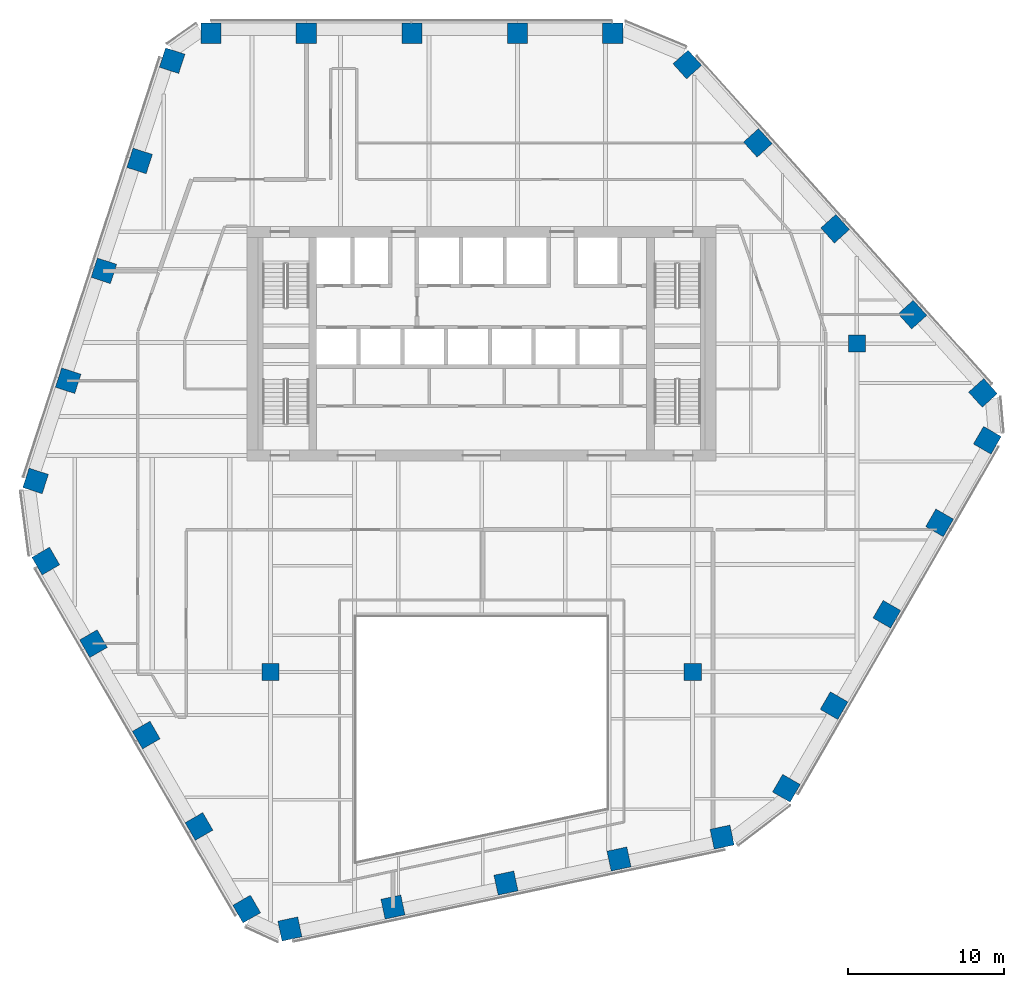
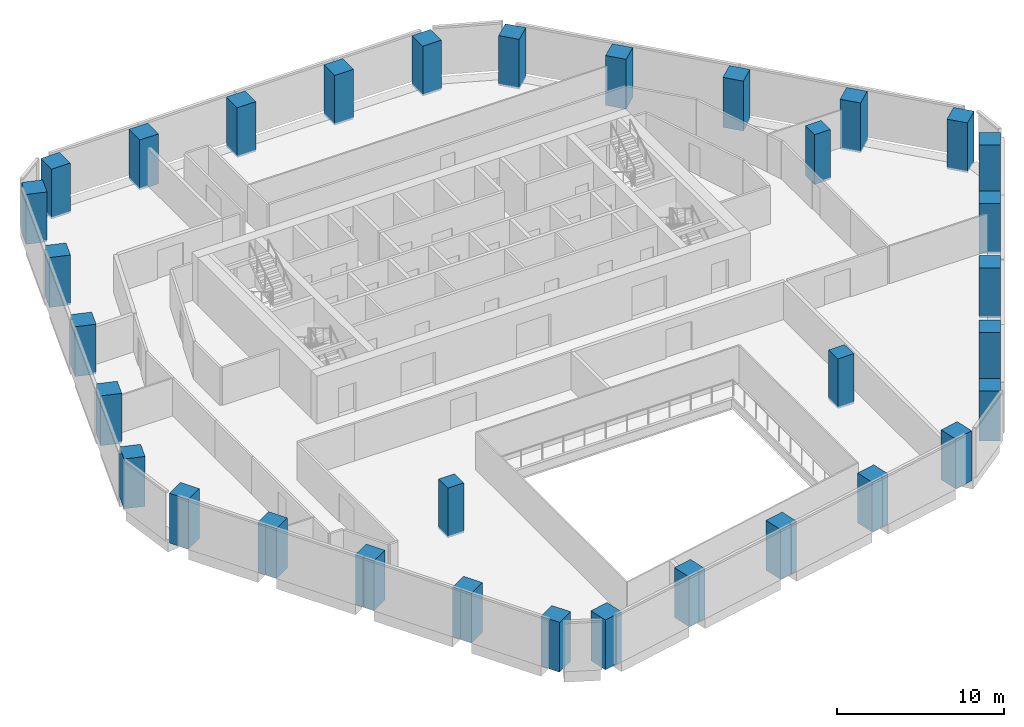
# One storey, part 1 of 17: 33 columns.
"""IFC4 building model written with IfcOpenShell, lengths in metres."""

from ifc_helpers import new_model, si_unit, direction, frame, origin, origin_2d, place, context, subcontext, project, spatial, rectangle, extrude, material, material_profile, profile_set, type_object, element, save


model = new_model("IFC4")

# Units and contexts
model_context = context("Model", 3, precision=1e-05, world=origin(), true_north=direction((0.0, 1.0)))
body_context = subcontext(model_context, "Body", "Model", "MODEL_VIEW")
ifc_project = project(units=[si_unit("LENGTHUNIT", "METRE"), si_unit("AREAUNIT", "SQUARE_METRE"), si_unit("VOLUMEUNIT", "CUBIC_METRE"), si_unit("PLANEANGLEUNIT", "RADIAN"), si_unit("MASSUNIT", "GRAM", prefix="KILO")], contexts=[model_context])

# Site, building, storey
site_placement = place(None, origin())
site = spatial("IfcSite", under=ifc_project, at=site_placement, CompositionType="ELEMENT")
building_placement = place(site_placement, origin())
building = spatial("IfcBuilding", under=site, at=building_placement, Name="Isthmus Gate Tower", CompositionType="ELEMENT")
storey_placement = place(building_placement, frame((0.0, 0.0, 181.75)))
storey = spatial("IfcBuildingStorey", under=building, at=storey_placement, Name="L45", CompositionType="ELEMENT", Elevation=181.75)

# Columns
ifc_material_1 = material(Name="Concrete f'c 60 MPa", Category="concrete")
ifc_material_profile_1 = material_profile(ifc_material_1, rectangle(XDim=1.10009765625, YDim=1.10009765625, at=origin_2d()), Name="RC 1100X1100")
ifc_profile_set_1 = profile_set([ifc_material_profile_1], Name="Concrete f'c 60 MPa")
column_type_1 = type_object("IfcColumnType", Name="RC INTERIOR COLUMN 1100 X 1100", PredefinedType="COLUMN", material=ifc_profile_set_1)
for number, where, z_axis, x_axis, name in (
    (1, (-13.5, -13.5, -0.14990234375), (0.0, 0.0, 1.0), (1.0, 0.0, 0.0), "str-icol-L45-ICB2"),
    (2, (13.5, -13.5, -0.14990234375), (0.0, 0.0, 1.0), (1.0, 0.0, 0.0), "str-icol-L45-ICD2"),
    (3, (24.0, 7.5, -0.14990234375), (0.0, 0.0, 1.0), (1.0, 0.0, 0.0), "str-icol-L45-ICE3"),
):
    element("IfcColumn", number, at=place(storey_placement, frame(where, z_axis=z_axis, x_axis=x_axis)), inside=storey, type_object=column_type_1, Name=name, PredefinedType="COLUMN", context=body_context, shape_type="SweptSolid", body=[
        extrude(rectangle(XDim=1.10009765625, YDim=1.10009765625, at=origin_2d()), origin(), (0.0, 0.0, 1.0), 3.64990234375),
    ])
ifc_material_2 = material(Name="Concrete f'c 60 MPa", Category="concrete")
ifc_material_profile_2 = material_profile(ifc_material_2, rectangle(XDim=1.300048828125, YDim=1.300048828125, at=origin_2d()), Name="RC 1300X1300")
ifc_profile_set_2 = profile_set([ifc_material_profile_2], Name="Concrete f'c 60 MPa")
column_type_2 = type_object("IfcColumnType", Name="RC TUBE COLUMN 1300 X 1300", PredefinedType="COLUMN", material=ifc_profile_set_2)
for number, where, z_axis, x_axis, name in (
    (4, (8.388671875, 27.35009765625, -0.14990234375), (0.0, 0.0, 1.0), (-1.0, 0.0, 0.0), "str-tcol-L45-T2N0"),
    (5, (2.288330078125, 27.35009765625, -0.14990234375), (0.0, 0.0, 1.0), (-1.0, 0.0, 0.0), "str-tcol-L45-T2N1"),
    (6, (-4.461669921875, 27.35009765625, -0.14990234375), (0.0, 0.0, 1.0), (-1.0, 0.0, 0.0), "str-tcol-L45-T2N2"),
    (7, (-11.2119140625, 27.35009765625, -0.14990234375), (0.0, 0.0, 1.0), (-1.0, 0.0, 0.0), "str-tcol-L45-T2N3"),
    (8, (-17.31201171875, 27.35009765625, -0.14990234375), (0.0, 0.0, 1.0), (-1.0, 0.0, 0.0), "str-tcol-L45-T2N4"),
    (9, (-19.797607421875, 25.595947265625, -0.14990234375), (0.0, 0.0, 1.0), (-0.309016994375, -0.951056516295, 0.0), "str-tcol-L45-T2NW0"),
    (10, (-21.880615234375, 19.18505859375, -0.14990234375), (0.0, 0.0, 1.0), (-0.309016994375, -0.951056516295, 0.0), "str-tcol-L45-T2NW1"),
    (11, (-24.164306640625, 12.156005859375, -0.14990234375), (0.0, 0.0, 1.0), (-0.309016994375, -0.951056516295, 0.0), "str-tcol-L45-T2NW2"),
    (12, (-26.4482421875, 5.126953125, -0.14990234375), (0.0, 0.0, 1.0), (-0.309016994375, -0.951056516295, 0.0), "str-tcol-L45-T2NW3"),
    (13, (-28.53125, -1.283935546875, -0.14990234375), (0.0, 0.0, 1.0), (-0.309016994375, -0.951056516295, 0.0), "str-tcol-L45-T2NW4"),
    (14, (-27.880126953125, -6.410400390625, -0.14990234375), (0.0, 0.0, 1.0), (0.5, -0.866025403784, 0.0), "str-tcol-L45-T2SW0"),
    (15, (-24.830078125, -11.693115234375, -0.14990234375), (0.0, 0.0, 1.0), (0.5, -0.866025403784, 0.0), "str-tcol-L45-T2SW1"),
    (16, (-21.454833984375, -17.5390625, -0.14990234375), (0.0, 0.0, 1.0), (0.5, -0.866025403784, 0.0), "str-tcol-L45-T2SW2"),
    (17, (-18.079833984375, -23.384765625, -0.14990234375), (0.0, 0.0, 1.0), (0.5, -0.866025403784, 0.0), "str-tcol-L45-T2SW3"),
    (18, (-15.02978515625, -28.667724609375, -0.14990234375), (0.0, 0.0, 1.0), (0.5, -0.866025403784, 0.0), "str-tcol-L45-T2SW4"),
    (19, (-12.267822265625, -29.943115234375, -0.14990234375), (0.0, 0.0, 1.0), (0.978147600734, 0.207911690818, 0.0), "str-tcol-L45-T2S0"),
    (20, (-5.674560546875, -28.54150390625, -0.14990234375), (0.0, 0.0, 1.0), (0.978147600734, 0.207911690818, 0.0), "str-tcol-L45-T2S1"),
    (21, (1.554931640625, -27.0048828125, -0.14990234375), (0.0, 0.0, 1.0), (0.978147600734, 0.207911690818, 0.0), "str-tcol-L45-T2S2"),
    (22, (8.7841796875, -25.46826171875, -0.14990234375), (0.0, 0.0, 1.0), (0.978147600734, 0.207911690818, 0.0), "str-tcol-L45-T2S3"),
    (23, (15.377685546875, -24.06689453125, -0.14990234375), (0.0, 0.0, 1.0), (0.978147600734, 0.207911690818, 0.0), "str-tcol-L45-T2S4"),
    (24, (19.491455078125, -20.939697265625, -0.14990234375), (0.0, 0.0, 1.0), (0.5, 0.866025403784, 0.0), "str-tcol-L45-T2SE0"),
    (25, (22.54150390625, -15.65673828125, -0.14990234375), (0.0, 0.0, 1.0), (0.5, 0.866025403784, 0.0), "str-tcol-L45-T2SE1"),
    (26, (25.916748046875, -9.81103515625, -0.14990234375), (0.0, 0.0, 1.0), (0.5, 0.866025403784, 0.0), "str-tcol-L45-T2SE2"),
    (27, (29.291748046875, -3.96533203125, -0.14990234375), (0.0, 0.0, 1.0), (0.5, 0.866025403784, 0.0), "str-tcol-L45-T2SE3"),
    (28, (32.341796875, 1.317626953125, -0.14990234375), (0.0, 0.0, 1.0), (0.5, 0.866025403784, 0.0), "str-tcol-L45-T2SE4"),
    (29, (32.0654296875, 4.34716796875, -0.14990234375), (0.0, 0.0, 1.0), (-0.669130606359, 0.743144825477, 0.0), "str-tcol-L45-T2NE0"),
    (30, (27.554931640625, 9.356689453125, -0.14990234375), (0.0, 0.0, 1.0), (-0.669130606359, 0.743144825477, 0.0), "str-tcol-L45-T2NE1"),
    (31, (22.609619140625, 14.84912109375, -0.14990234375), (0.0, 0.0, 1.0), (-0.669130606359, 0.743144825477, 0.0), "str-tcol-L45-T2NE2"),
    (32, (17.6640625, 20.341552734375, -0.14990234375), (0.0, 0.0, 1.0), (-0.669130606359, 0.743144825477, 0.0), "str-tcol-L45-T2NE3"),
    (33, (13.15380859375, 25.350830078125, -0.14990234375), (0.0, 0.0, 1.0), (-0.669130606359, 0.743144825477, 0.0), "str-tcol-L45-T2NE4"),
):
    element("IfcColumn", number, at=place(storey_placement, frame(where, z_axis=z_axis, x_axis=x_axis)), inside=storey, type_object=column_type_2, Name=name, PredefinedType="COLUMN", context=body_context, shape_type="SweptSolid", body=[
        extrude(rectangle(XDim=1.300048828125, YDim=1.300048828125, at=origin_2d()), origin(), (0.0, 0.0, 1.0), 3.64990234375),
    ])

save(model, "model.ifc")
